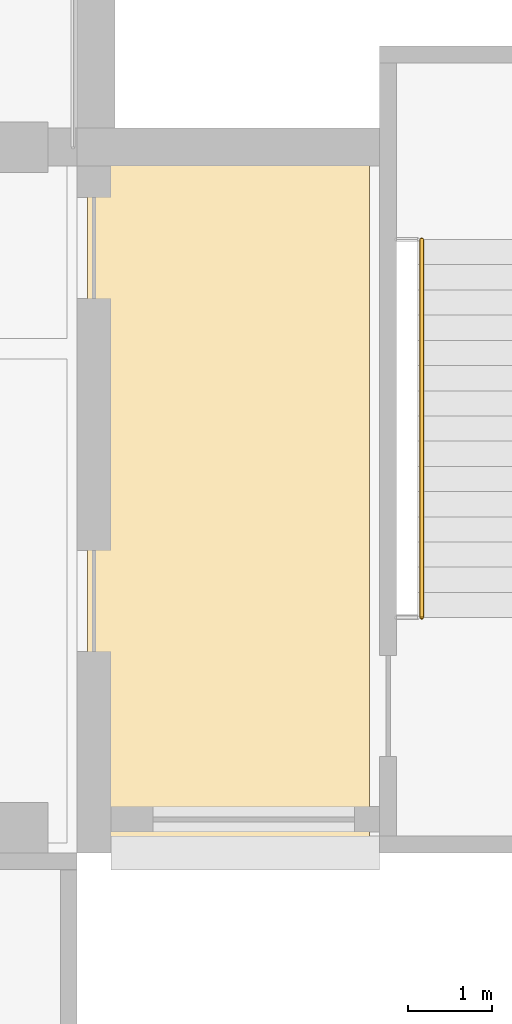
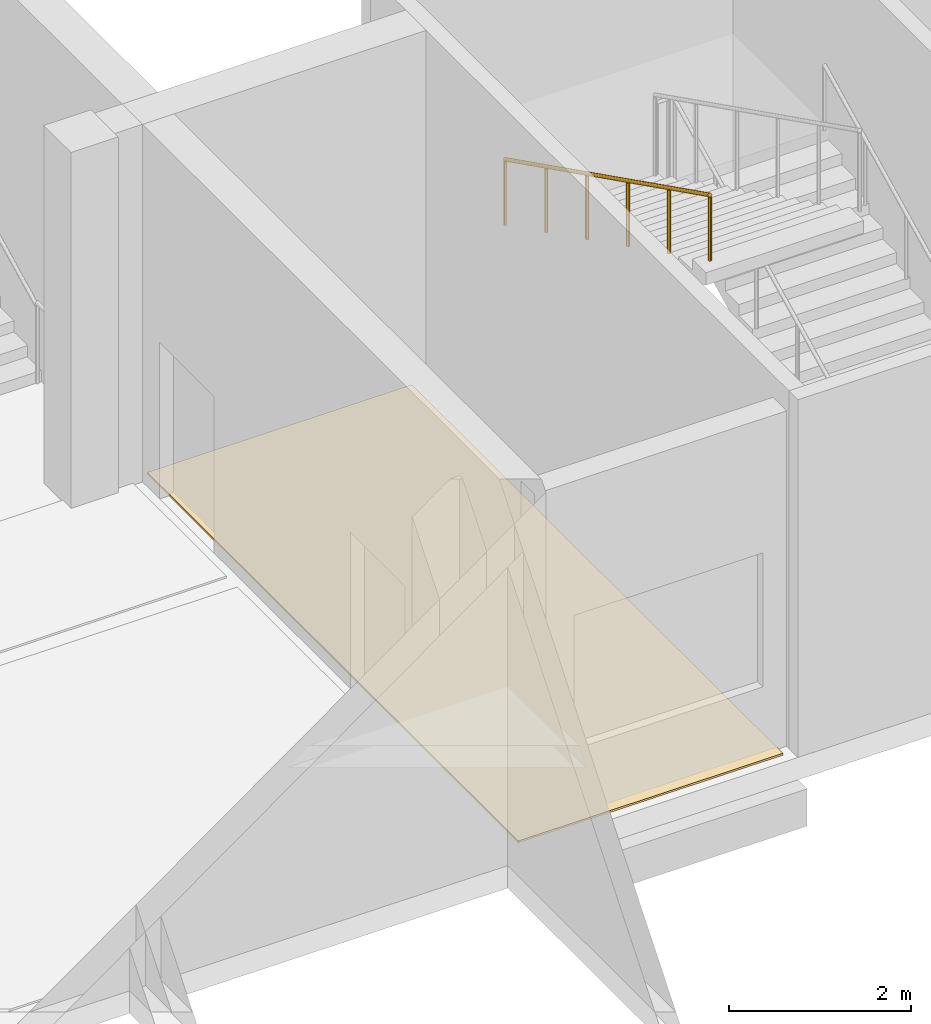
# One storey, part 71 of 91: 1 covering, 1 railing.
"""IFC4 building model written with IfcOpenShell, lengths in metres."""

import ifcopenshell
import ifcopenshell.guid

model = None  # the IFC model being written
_history = None  # IfcOwnerHistory: only IFC2X3 demands one
_inside = {}  # id of a spatial element -> (the spatial element, [elements in it])
_under = {}  # id of a project, library or spatial element -> (it, [spatial elements below it])
_declared = {}  # id of a project -> (the project, [libraries it declares])
_typed = {}  # id of a type object -> (the type object, [elements of that type])
_made_of = {}  # id of a material, layer set ... -> (it, [elements and type objects made of it])


def new_model(schema):
    """Start an empty IFC model of exactly this schema.

    Asked for "IFC4X3", IfcOpenShell would pick the latest addendum, in which some entities
    have other attributes; the version numbers below select the first issue.
    IFC2X3 requires an IfcOwnerHistory on every rooted entity: one is made here for all.
    """
    global model, _history
    if schema == "IFC4X3":
        model = ifcopenshell.file(schema_version=(4, 3, 0, 0))
    else:
        model = ifcopenshell.file(schema=schema)
    _inside.clear()
    _under.clear()
    _declared.clear()
    _typed.clear()
    _made_of.clear()
    _history = None
    if model.schema == "IFC2X3":
        org = make("IfcOrganization", Name="unknown")
        user = make(
            "IfcPersonAndOrganization",
            ThePerson=make("IfcPerson", FamilyName="unknown"),
            TheOrganization=org,
        )
        app = make(
            "IfcApplication",
            ApplicationDeveloper=org,
            Version="unknown",
            ApplicationFullName="unknown",
            ApplicationIdentifier="unknown",
        )
        _history = make(
            "IfcOwnerHistory",
            OwningUser=user,
            OwningApplication=app,
            ChangeAction="ADDED",
            CreationDate=0,
        )
    return model


def make(cls, **values):
    """One entity of the class cls with the attributes given. An attribute that is None is left unset."""
    return model.create_entity(
        cls, **{name: value for name, value in values.items() if value is not None}
    )


def rooted(cls, **values):
    """An entity with a GlobalId (a new one), such as an element, a storey or a relation."""
    return make(cls, GlobalId=ifcopenshell.guid.new(), OwnerHistory=_history, **values)


def si_unit(unit_type, name, prefix=None):
    """IfcSIUnit, for example si_unit("LENGTHUNIT", "METRE", prefix="MILLI")."""
    return make("IfcSIUnit", UnitType=unit_type, Prefix=prefix, Name=name)


def assignment(units):
    """IfcUnitAssignment: the units of a project."""
    return None if units is None else make("IfcUnitAssignment", Units=units)


def point(xyz):
    """IfcCartesianPoint."""
    return None if xyz is None else make("IfcCartesianPoint", Coordinates=xyz)


def direction(xyz):
    """IfcDirection."""
    return None if xyz is None else make("IfcDirection", DirectionRatios=xyz)


def frame(location, z_axis=None, x_axis=None):
    """IfcAxis2Placement3D, a coordinate frame: its origin and axes. An axis left out is left unset."""
    return make(
        "IfcAxis2Placement3D",
        Location=point(location),
        Axis=direction(z_axis),
        RefDirection=direction(x_axis),
    )


def frame_2d(location, x_axis=None):
    """IfcAxis2Placement2D, a coordinate frame in the plane: its origin and x axis."""
    return make(
        "IfcAxis2Placement2D", Location=point(location), RefDirection=direction(x_axis)
    )


def origin():
    """The frame at (0, 0, 0) with its axes left unset."""
    return frame((0.0, 0.0, 0.0))


def origin_2d():
    """The frame at (0, 0) in the plane with its x axis left unset."""
    return frame_2d((0.0, 0.0))


def place(relative_to, where):
    """IfcLocalPlacement: puts the frame where relative to a parent placement (None: the world)."""
    return make(
        "IfcLocalPlacement", PlacementRelTo=relative_to, RelativePlacement=where
    )


def context(
    kind, dimensions, precision=None, world=None, true_north=None, identifier=None
):
    """IfcGeometricRepresentationContext, for example the 3D "Model" context."""
    return make(
        "IfcGeometricRepresentationContext",
        ContextIdentifier=identifier,
        ContextType=kind,
        CoordinateSpaceDimension=dimensions,
        Precision=precision,
        WorldCoordinateSystem=world,
        TrueNorth=true_north,
    )


def subcontext(parent, identifier, kind, view, scale=None):
    """IfcGeometricRepresentationSubContext, for example "Body" below "Model"."""
    return make(
        "IfcGeometricRepresentationSubContext",
        ContextIdentifier=identifier,
        ContextType=kind,
        ParentContext=parent,
        TargetScale=scale,
        TargetView=view,
    )


def project(units=None, contexts=None):
    """IfcProject with its units and contexts."""
    return rooted(
        "IfcProject",
        Name="project",
        RepresentationContexts=contexts,
        UnitsInContext=assignment(units),
    )


def spatial(cls, under=None, at=None, **own):
    """A site, building, storey or space (cls), placed at a placement, below another one or the project."""
    s = rooted(cls, ObjectPlacement=at, **own)
    if under is not None:
        _under.setdefault(under.id(), (under, []))[1].append(s)
    return s


def polyline(points):
    """IfcPolyline through the points."""
    return make("IfcPolyline", Points=[point(p) for p in points])


def profile(cls, at=None, kind="AREA", **sizes):
    """A parametric profile (cls). Its sizes go by their IFC names, for example OverallWidth=200.0."""
    return make(cls, ProfileType=kind, Position=at, **sizes)


def circle(**sizes):
    """IfcCircleProfileDef."""
    return profile("IfcCircleProfileDef", **sizes)


def outline(outer, holes=None, kind="AREA"):
    """IfcArbitraryClosedProfileDef: a profile drawn as a closed curve; with holes, ...WithVoids."""
    if holes is None:
        return make("IfcArbitraryClosedProfileDef", ProfileType=kind, OuterCurve=outer)
    return make(
        "IfcArbitraryProfileDefWithVoids",
        ProfileType=kind,
        OuterCurve=outer,
        InnerCurves=holes,
    )


def extrude(swept, where, along, depth):
    """IfcExtrudedAreaSolid: the profile swept, set in the frame where, extruded along a direction by depth."""
    return make(
        "IfcExtrudedAreaSolid",
        SweptArea=swept,
        Position=where,
        ExtrudedDirection=direction(along),
        Depth=depth,
    )


def shape(context_of_items, identifier, shape_type, items):
    """IfcShapeRepresentation: the items that make up one representation, for example the "Body"."""
    return make(
        "IfcShapeRepresentation",
        ContextOfItems=context_of_items,
        RepresentationIdentifier=identifier,
        RepresentationType=shape_type,
        Items=items,
    )


def material(Name=None, Category=None):
    """IfcMaterial."""
    return make("IfcMaterial", Name=Name, Category=Category)


def layer(
    of_material, thickness, ventilated=None, Name=None, Category=None, Priority=None
):
    """IfcMaterialLayer: one layer of a wall or slab, of a material (None: an air gap)."""
    return make(
        "IfcMaterialLayer",
        Material=of_material,
        LayerThickness=thickness,
        IsVentilated=ventilated,
        Name=Name,
        Category=Category,
        Priority=Priority,
    )


def layer_set(layers, Name=None):
    """IfcMaterialLayerSet."""
    return make("IfcMaterialLayerSet", MaterialLayers=layers, LayerSetName=Name)


def made_of(thing, what):
    """Note that an element or type object is made of a material, layer set ...; save() writes the relation."""
    if what is not None:
        _made_of.setdefault(what.id(), (what, []))[1].append(thing)
    return thing


def type_object(cls, material=None, **own):
    """A type object (cls), such as IfcWallType, which elements share."""
    return made_of(rooted(cls, **own), material)


def element(
    cls,
    number,
    at=None,
    inside=None,
    cuts=None,
    type_object=None,
    material=None,
    context=None,
    identifier="Body",
    shape_type=None,
    held_by="IfcProductDefinitionShape",
    body=None,
    shapes=None,
    **own,
):
    """One element of the class cls, such as IfcWall. Its Tag is "e" and its number.

    at: its placement. inside: the storey or other place that contains it. cuts: it is an
    opening in that element (IfcRelVoidsElement). A single representation is given by context,
    identifier, shape_type and body (its items); several are given by shapes. held_by: the class
    of the entity that holds the representations. save() writes the other relations.
    """
    e = rooted(cls, Tag="e%d" % number, ObjectPlacement=at, **own)
    if body is not None:
        shapes = [shape(context, identifier, shape_type, body)]
    if shapes is not None:
        e.Representation = make(held_by, Representations=shapes)
    if inside is not None:
        _inside.setdefault(inside.id(), (inside, []))[1].append(e)
    if cuts is not None:
        rooted(
            "IfcRelVoidsElement", RelatingBuildingElement=cuts, RelatedOpeningElement=e
        )
    if type_object is not None:
        _typed.setdefault(type_object.id(), (type_object, []))[1].append(e)
    return made_of(e, material)


def aggregate(whole, parts):
    """IfcRelAggregates: a whole, such as a stair, and the parts it consists of."""
    return rooted("IfcRelAggregates", RelatingObject=whole, RelatedObjects=parts)


def save(model, path):
    """Write the relations noted so far, then the file.

    IfcRelAggregates (storeys below a building ...), IfcRelContainedInSpatialStructure (elements
    in a storey), IfcRelDefinesByType, IfcRelAssociatesMaterial and IfcRelDeclares: one each for
    every whole, place, type object, material and project.
    """
    for whole, parts in _under.values():
        aggregate(whole, parts)
    for where, things in _inside.values():
        rooted(
            "IfcRelContainedInSpatialStructure",
            RelatedElements=things,
            RelatingStructure=where,
        )
    for kind, things in _typed.values():
        rooted("IfcRelDefinesByType", RelatedObjects=things, RelatingType=kind)
    for what, things in _made_of.values():
        rooted("IfcRelAssociatesMaterial", RelatedObjects=things, RelatingMaterial=what)
    for by, libraries in _declared.values():
        rooted("IfcRelDeclares", RelatingContext=by, RelatedDefinitions=libraries)
    model.write(path)


model = new_model("IFC4")

# Units and contexts
model_context = context("Model", 3, precision=1e-05, world=origin(), true_north=direction((0.0, 1.0)))
body_context = subcontext(model_context, "Body", "Model", "MODEL_VIEW")
ifc_project = project(units=[si_unit("LENGTHUNIT", "METRE"), si_unit("AREAUNIT", "SQUARE_METRE"), si_unit("VOLUMEUNIT", "CUBIC_METRE"), si_unit("PLANEANGLEUNIT", "RADIAN"), si_unit("MASSUNIT", "GRAM", prefix="KILO")], contexts=[model_context])

# Site, building, storey
site_placement = place(None, origin())
site = spatial("IfcSite", under=ifc_project, at=site_placement, CompositionType="ELEMENT")
building_placement = place(site_placement, origin())
building = spatial("IfcBuilding", under=site, at=building_placement, Name="Kiln Court Media Centre", CompositionType="ELEMENT")
storey_placement = place(building_placement, frame((0.0, 0.0, 5.39990234375)))
storey = spatial("IfcBuildingStorey", under=building, at=storey_placement, Name="L01", CompositionType="ELEMENT", Elevation=5.39990234375)

# Covering
ifc_material_1 = material(Name="Terrazzo")
ifc_layer = layer(ifc_material_1, 0.02490234375)
ifc_layer_set = layer_set([ifc_layer], Name="Polished terrazzo floor finish 25")
covering_type = type_object("IfcCoveringType", Name="Polished terrazzo floor finish 25", PredefinedType="FLOORING", material=ifc_layer_set)
covering_placement = place(storey_placement, origin())
element("IfcCovering", 1, at=covering_placement, inside=storey, type_object=covering_type, Name="Foyer Link floor finish", PredefinedType="FLOORING", context=body_context, shape_type="SweptSolid", body=[
    extrude(outline(polyline([(58.919921875, 25.320068359375), (62.280029296875, 25.320068359375), (62.280029296875, 33.47998046875), (58.919921875, 33.47998046875), (58.919921875, 25.320068359375)])), origin(), (0.0, 0.0, 1.0), 0.025146484375),
])

# Railing
ifc_material_2 = material(Name="Steel S275", Category="steel")
railing_type = type_object("IfcRailingType", Name="Steel S275 stair handrail 900", PredefinedType="HANDRAIL", material=ifc_material_2)
railing_placement = place(storey_placement, frame((62.89990234375, 32.5, 2.550048828125)))
element("IfcRailing", 2, at=railing_placement, inside=storey, type_object=railing_type, Name="ST-09 stair handrail", PredefinedType="HANDRAIL", context=body_context, shape_type="SweptSolid", body=[
    extrude(circle(Radius=0.02392578125, at=origin_2d()), frame((0.0, 0.0, 0.8759765625), z_axis=(0.0, -0.894427191, 0.4472135955), x_axis=(1.0, 0.0, 0.0)), (0.0, 0.0, 1.0), 5.03125),
    extrude(circle(Radius=0.02099609375, at=origin_2d()), origin(), (0.0, 0.0, 1.0), 0.851806640625),
    extrude(circle(Radius=0.02099609375, at=origin_2d()), frame((0.0, -0.89990234375, 0.449951171875)), (0.0, 0.0, 1.0), 0.851806640625),
    extrude(circle(Radius=0.02099609375, at=origin_2d()), frame((0.0, -1.800048828125, 0.89990234375)), (0.0, 0.0, 1.0), 0.851806640625),
    extrude(circle(Radius=0.02099609375, at=origin_2d()), frame((0.0, -2.699951171875, 1.35009765625)), (0.0, 0.0, 1.0), 0.851806640625),
    extrude(circle(Radius=0.02099609375, at=origin_2d()), frame((0.0, -3.60009765625, 1.800048828125)), (0.0, 0.0, 1.0), 0.851806640625),
    extrude(circle(Radius=0.02099609375, at=origin_2d()), frame((0.0, -4.5, 2.25)), (0.0, 0.0, 1.0), 0.851806640625),
])

save(model, "model.ifc")
